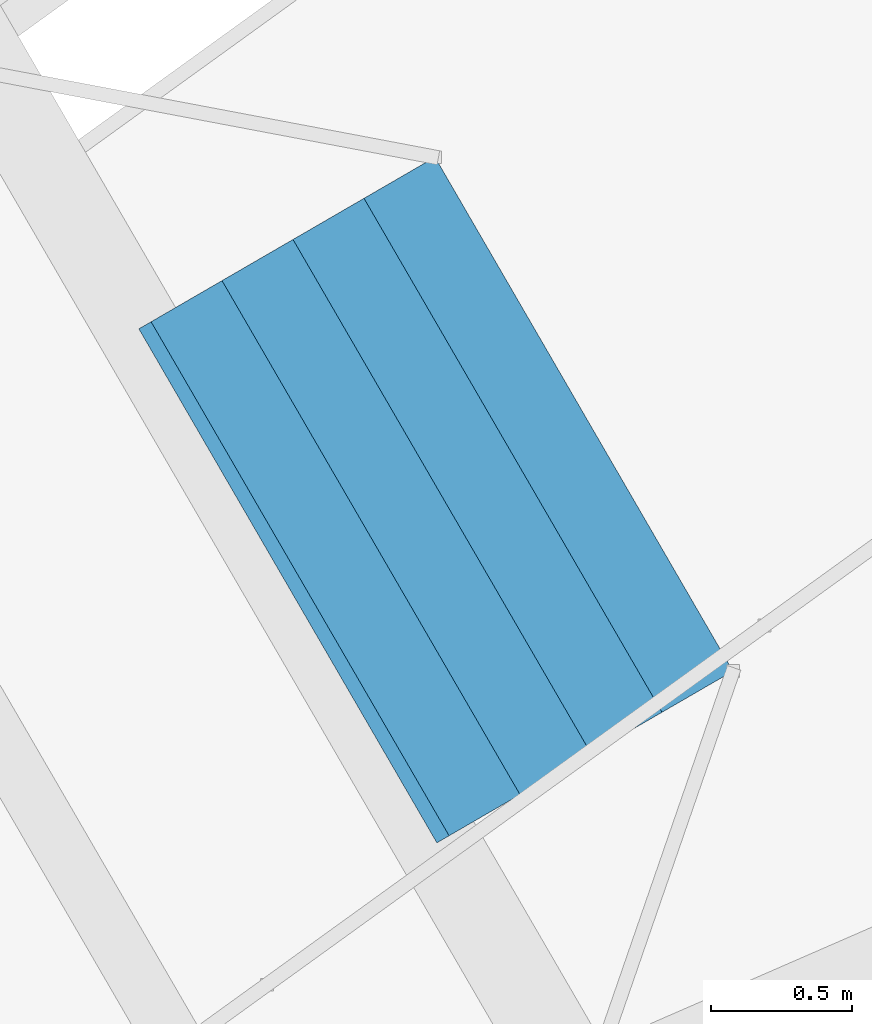
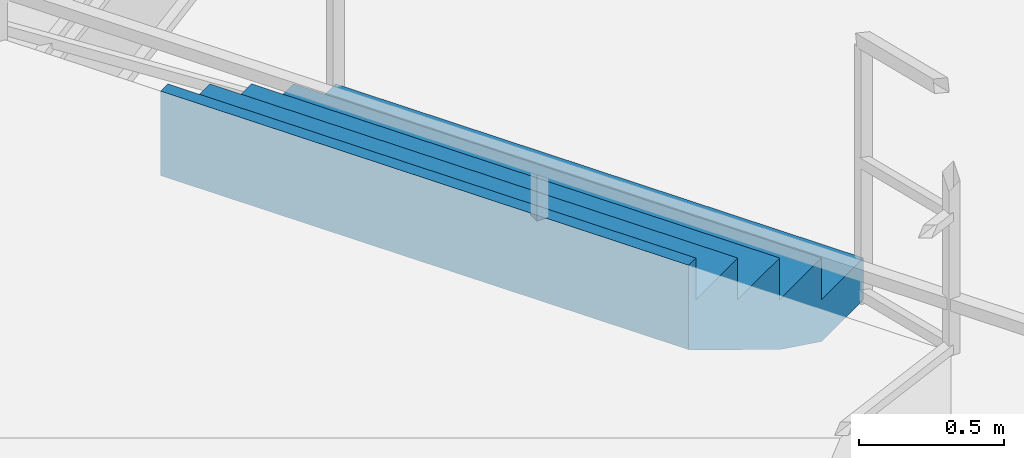
# One storey, part 164 of 186: 1 stair flight, 1 element without a shape of its own.
"""IFC4 building model written with IfcOpenShell, lengths in metres."""

from ifc_helpers import new_model, si_unit, direction, frame, origin, place, context, subcontext, project, spatial, polygons, material, type_object, element, aggregate, save


model = new_model("IFC4")

# Units and contexts
model_context = context("Model", 3, precision=1e-05, world=origin(), true_north=direction((0.0, 1.0)))
body_context = subcontext(model_context, "Body", "Model", "MODEL_VIEW")
ifc_project = project(units=[si_unit("LENGTHUNIT", "METRE"), si_unit("AREAUNIT", "SQUARE_METRE"), si_unit("VOLUMEUNIT", "CUBIC_METRE"), si_unit("PLANEANGLEUNIT", "RADIAN"), si_unit("MASSUNIT", "GRAM", prefix="KILO")], contexts=[model_context])

# Site, building, storey
site_placement = place(None, origin())
site = spatial("IfcSite", under=ifc_project, at=site_placement, CompositionType="ELEMENT")
building_placement = place(site_placement, origin())
building = spatial("IfcBuilding", under=site, at=building_placement, Name="Kazemori Nagisa Stadium", CompositionType="ELEMENT")
storey_placement = place(building_placement, frame((0.0, 0.0, 20.39990234375)))
storey = spatial("IfcBuildingStorey", under=building, at=storey_placement, Name="L04", CompositionType="ELEMENT", Elevation=20.39990234375)

# Stair, stair flight
ifc_material = material(Name="Concrete C36/45 (Fc36)", Category="concrete")
stair_type = type_object("IfcStairType", Name="Stair_VOM_VU", PredefinedType="STRAIGHT_RUN_STAIR", material=ifc_material)
stair_placement = place(storey_placement, origin())
stair = element("IfcStair", 1, at=stair_placement, inside=storey, type_object=stair_type, Name="Vomitory stair upper VU02", PredefinedType="STRAIGHT_RUN_STAIR")
stair_flight_type = type_object("IfcStairFlightType", Name="Flight_VOM_VU", PredefinedType="STRAIGHT", material=ifc_material)
stair_flight_placement = place(storey_placement, frame((186.816650390625, 145.10595703125, 0.0), z_axis=(0.0, 0.0, 1.0), x_axis=(-0.865104261701, -0.501592081663, 0.0)))
stair_flight = element("IfcStairFlight", 2, at=stair_flight_placement, type_object=stair_flight_type, Name="Vomitory stair upper VU02 flight", NumberOfRisers=5, NumberOfTreads=4, PredefinedType="STRAIGHT", RiserHeight=0.176, TreadLength=0.29, context=body_context, shape_type="Tessellation", body=[
    polygons([(0.0, -1.050048828125, 0.0), (0.0, -1.050048828125, 0.176025390625), (0.2900390625, -1.050048828125, 0.176025390625), (0.2900390625, -1.050048828125, 0.35205078125), (0.580078125, -1.050048828125, 0.35205078125), (0.580078125, -1.050048828125, 0.528076171875), (0.8701171875, -1.050048828125, 0.528076171875), (0.8701171875, -1.050048828125, 0.7041015625), (1.159912109375, -1.050048828125, 0.7041015625), (1.159912109375, -1.050048828125, 0.8798828125), (1.2099609375, -1.050048828125, 0.8798828125), (1.2099609375, -1.050048828125, 0.52392578125), (1.159912109375, -1.050048828125, 0.493408203125), (0.8701171875, -1.050048828125, 0.317626953125), (0.580078125, -1.050048828125, 0.1416015625), (0.2900390625, -1.050048828125, 0.0), (0.0, -0.083984375, 0.0), (0.0, -0.083984375, 0.176025390625), (0.2900390625, -0.083984375, 0.176025390625), (0.2900390625, -0.083984375, 0.35205078125), (0.580078125, -0.083984375, 0.35205078125), (0.580078125, -0.083984375, 0.528076171875), (0.8701171875, -0.083984375, 0.528076171875), (0.8701171875, -0.083984375, 0.7041015625), (1.159912109375, -0.083984375, 0.7041015625), (1.159912109375, -0.083984375, 0.8798828125), (1.2099609375, -0.083984375, 0.8798828125), (1.2099609375, -0.083984375, 0.52392578125), (1.159912109375, -0.083984375, 0.493408203125), (0.8701171875, -0.083984375, 0.317626953125), (0.580078125, -0.083984375, 0.1416015625), (0.2900390625, -0.083984375, 0.0), (0.0, -0.06298828125, 0.0), (0.0, -0.06298828125, 0.176025390625), (0.2900390625, -0.06298828125, 0.176025390625), (0.2900390625, -0.06298828125, 0.35205078125), (0.580078125, -0.06298828125, 0.35205078125), (0.580078125, -0.06298828125, 0.528076171875), (0.8701171875, -0.06298828125, 0.528076171875), (0.8701171875, -0.06298828125, 0.7041015625), (1.159912109375, -0.06298828125, 0.7041015625), (1.159912109375, -0.06298828125, 0.8798828125), (1.2099609375, -0.06298828125, 0.8798828125), (1.2099609375, -0.06298828125, 0.52392578125), (1.159912109375, -0.06298828125, 0.493408203125), (0.8701171875, -0.06298828125, 0.317626953125), (0.580078125, -0.06298828125, 0.1416015625), (0.2900390625, -0.06298828125, 0.0), (0.0, -0.0419921875, 0.0), (0.0, -0.0419921875, 0.176025390625), (0.2900390625, -0.0419921875, 0.176025390625), (0.2900390625, -0.0419921875, 0.35205078125), (0.580078125, -0.0419921875, 0.35205078125), (0.580078125, -0.0419921875, 0.528076171875), (0.8701171875, -0.0419921875, 0.528076171875), (0.8701171875, -0.0419921875, 0.7041015625), (1.159912109375, -0.0419921875, 0.7041015625), (1.159912109375, -0.0419921875, 0.8798828125), (1.2099609375, -0.0419921875, 0.8798828125), (1.2099609375, -0.0419921875, 0.52392578125), (1.159912109375, -0.0419921875, 0.493408203125), (0.8701171875, -0.0419921875, 0.317626953125), (0.580078125, -0.0419921875, 0.1416015625), (0.2900390625, -0.0419921875, 0.0), (0.0, -0.02099609375, 0.0), (0.0, -0.02099609375, 0.176025390625), (0.2900390625, -0.02099609375, 0.176025390625), (0.2900390625, -0.02099609375, 0.35205078125), (0.580078125, -0.02099609375, 0.35205078125), (0.580078125, -0.02099609375, 0.528076171875), (0.8701171875, -0.02099609375, 0.528076171875), (0.8701171875, -0.02099609375, 0.7041015625), (1.159912109375, -0.02099609375, 0.7041015625), (1.159912109375, -0.02099609375, 0.8798828125), (1.2099609375, -0.02099609375, 0.8798828125), (1.2099609375, -0.02099609375, 0.52392578125), (1.159912109375, -0.02099609375, 0.493408203125), (0.8701171875, -0.02099609375, 0.317626953125), (0.580078125, -0.02099609375, 0.1416015625), (0.2900390625, -0.02099609375, 0.0), (0.0, 0.0, 0.0), (0.0, 0.0, 0.176025390625), (0.2900390625, 0.0, 0.176025390625), (0.2900390625, 0.0, 0.35205078125), (0.580078125, 0.0, 0.35205078125), (0.580078125, 0.0, 0.528076171875), (0.8701171875, 0.0, 0.528076171875), (0.8701171875, 0.0, 0.7041015625), (1.159912109375, 0.0, 0.7041015625), (1.159912109375, 0.0, 0.8798828125), (1.2099609375, 0.0, 0.8798828125), (1.2099609375, 0.0, 0.52392578125), (1.159912109375, 0.0, 0.493408203125), (0.8701171875, 0.0, 0.317626953125), (0.580078125, 0.0, 0.1416015625), (0.2900390625, 0.0, 0.0), (0.0, 0.02099609375, 0.0), (0.0, 0.02099609375, 0.176025390625), (0.2900390625, 0.02099609375, 0.176025390625), (0.2900390625, 0.02099609375, 0.35205078125), (0.580078125, 0.02099609375, 0.35205078125), (0.580078125, 0.02099609375, 0.528076171875), (0.8701171875, 0.02099609375, 0.528076171875), (0.8701171875, 0.02099609375, 0.7041015625), (1.159912109375, 0.02099609375, 0.7041015625), (1.159912109375, 0.02099609375, 0.8798828125), (1.2099609375, 0.02099609375, 0.8798828125), (1.2099609375, 0.02099609375, 0.52392578125), (1.159912109375, 0.02099609375, 0.493408203125), (0.8701171875, 0.02099609375, 0.317626953125), (0.580078125, 0.02099609375, 0.1416015625), (0.2900390625, 0.02099609375, 0.0), (0.0, 0.0419921875, 0.0), (0.0, 0.0419921875, 0.176025390625), (0.2900390625, 0.0419921875, 0.176025390625), (0.2900390625, 0.0419921875, 0.35205078125), (0.580078125, 0.0419921875, 0.35205078125), (0.580078125, 0.0419921875, 0.528076171875), (0.8701171875, 0.0419921875, 0.528076171875), (0.8701171875, 0.0419921875, 0.7041015625), (1.159912109375, 0.0419921875, 0.7041015625), (1.159912109375, 0.0419921875, 0.8798828125), (1.2099609375, 0.0419921875, 0.8798828125), (1.2099609375, 0.0419921875, 0.52392578125), (1.159912109375, 0.0419921875, 0.493408203125), (0.8701171875, 0.0419921875, 0.317626953125), (0.580078125, 0.0419921875, 0.1416015625), (0.2900390625, 0.0419921875, 0.0), (0.0, 0.06298828125, 0.0), (0.0, 0.06298828125, 0.176025390625), (0.2900390625, 0.06298828125, 0.176025390625), (0.2900390625, 0.06298828125, 0.35205078125), (0.580078125, 0.06298828125, 0.35205078125), (0.580078125, 0.06298828125, 0.528076171875), (0.8701171875, 0.06298828125, 0.528076171875), (0.8701171875, 0.06298828125, 0.7041015625), (1.159912109375, 0.06298828125, 0.7041015625), (1.159912109375, 0.06298828125, 0.8798828125), (1.2099609375, 0.06298828125, 0.8798828125), (1.2099609375, 0.06298828125, 0.52392578125), (1.159912109375, 0.06298828125, 0.493408203125), (0.8701171875, 0.06298828125, 0.317626953125), (0.580078125, 0.06298828125, 0.1416015625), (0.2900390625, 0.06298828125, 0.0), (0.0, 0.083984375, 0.0), (0.0, 0.083984375, 0.176025390625), (0.2900390625, 0.083984375, 0.176025390625), (0.2900390625, 0.083984375, 0.35205078125), (0.580078125, 0.083984375, 0.35205078125), (0.580078125, 0.083984375, 0.528076171875), (0.8701171875, 0.083984375, 0.528076171875), (0.8701171875, 0.083984375, 0.7041015625), (1.159912109375, 0.083984375, 0.7041015625), (1.159912109375, 0.083984375, 0.8798828125), (1.2099609375, 0.083984375, 0.8798828125), (1.2099609375, 0.083984375, 0.52392578125), (1.159912109375, 0.083984375, 0.493408203125), (0.8701171875, 0.083984375, 0.317626953125), (0.580078125, 0.083984375, 0.1416015625), (0.2900390625, 0.083984375, 0.0), (0.0, 1.050048828125, 0.0), (0.0, 1.050048828125, 0.176025390625), (0.2900390625, 1.050048828125, 0.176025390625), (0.2900390625, 1.050048828125, 0.35205078125), (0.580078125, 1.050048828125, 0.35205078125), (0.580078125, 1.050048828125, 0.528076171875), (0.8701171875, 1.050048828125, 0.528076171875), (0.8701171875, 1.050048828125, 0.7041015625), (1.159912109375, 1.050048828125, 0.7041015625), (1.159912109375, 1.050048828125, 0.8798828125), (1.2099609375, 1.050048828125, 0.8798828125), (1.2099609375, 1.050048828125, 0.52392578125), (1.159912109375, 1.050048828125, 0.493408203125), (0.8701171875, 1.050048828125, 0.317626953125), (0.580078125, 1.050048828125, 0.1416015625), (0.2900390625, 1.050048828125, 0.0)], [[[1, 2, 18]], [[1, 18, 17]], [[2, 3, 19]], [[2, 19, 18]], [[3, 4, 20]], [[3, 20, 19]], [[4, 5, 21]], [[4, 21, 20]], [[5, 6, 22]], [[5, 22, 21]], [[6, 7, 23]], [[6, 23, 22]], [[7, 8, 24]], [[7, 24, 23]], [[8, 9, 25]], [[8, 25, 24]], [[9, 10, 26]], [[9, 26, 25]], [[10, 11, 27]], [[10, 27, 26]], [[11, 12, 28]], [[11, 28, 27]], [[12, 13, 29]], [[12, 29, 28]], [[13, 14, 30]], [[13, 30, 29]], [[14, 15, 31]], [[14, 31, 30]], [[15, 16, 32]], [[15, 32, 31]], [[16, 1, 17]], [[16, 17, 32]], [[17, 18, 34]], [[17, 34, 33]], [[18, 19, 35]], [[18, 35, 34]], [[19, 20, 36]], [[19, 36, 35]], [[20, 21, 37]], [[20, 37, 36]], [[21, 22, 38]], [[21, 38, 37]], [[22, 23, 39]], [[22, 39, 38]], [[23, 24, 40]], [[23, 40, 39]], [[24, 25, 41]], [[24, 41, 40]], [[25, 26, 42]], [[25, 42, 41]], [[26, 27, 43]], [[26, 43, 42]], [[27, 28, 44]], [[27, 44, 43]], [[28, 29, 45]], [[28, 45, 44]], [[29, 30, 46]], [[29, 46, 45]], [[30, 31, 47]], [[30, 47, 46]], [[31, 32, 48]], [[31, 48, 47]], [[32, 17, 33]], [[32, 33, 48]], [[33, 34, 50]], [[33, 50, 49]], [[34, 35, 51]], [[34, 51, 50]], [[35, 36, 52]], [[35, 52, 51]], [[36, 37, 53]], [[36, 53, 52]], [[37, 38, 54]], [[37, 54, 53]], [[38, 39, 55]], [[38, 55, 54]], [[39, 40, 56]], [[39, 56, 55]], [[40, 41, 57]], [[40, 57, 56]], [[41, 42, 58]], [[41, 58, 57]], [[42, 43, 59]], [[42, 59, 58]], [[43, 44, 60]], [[43, 60, 59]], [[44, 45, 61]], [[44, 61, 60]], [[45, 46, 62]], [[45, 62, 61]], [[46, 47, 63]], [[46, 63, 62]], [[47, 48, 64]], [[47, 64, 63]], [[48, 33, 49]], [[48, 49, 64]], [[49, 50, 66]], [[49, 66, 65]], [[50, 51, 67]], [[50, 67, 66]], [[51, 52, 68]], [[51, 68, 67]], [[52, 53, 69]], [[52, 69, 68]], [[53, 54, 70]], [[53, 70, 69]], [[54, 55, 71]], [[54, 71, 70]], [[55, 56, 72]], [[55, 72, 71]], [[56, 57, 73]], [[56, 73, 72]], [[57, 58, 74]], [[57, 74, 73]], [[58, 59, 75]], [[58, 75, 74]], [[59, 60, 76]], [[59, 76, 75]], [[60, 61, 77]], [[60, 77, 76]], [[61, 62, 78]], [[61, 78, 77]], [[62, 63, 79]], [[62, 79, 78]], [[63, 64, 80]], [[63, 80, 79]], [[64, 49, 65]], [[64, 65, 80]], [[65, 66, 82]], [[65, 82, 81]], [[66, 67, 83]], [[66, 83, 82]], [[67, 68, 84]], [[67, 84, 83]], [[68, 69, 85]], [[68, 85, 84]], [[69, 70, 86]], [[69, 86, 85]], [[70, 71, 87]], [[70, 87, 86]], [[71, 72, 88]], [[71, 88, 87]], [[72, 73, 89]], [[72, 89, 88]], [[73, 74, 90]], [[73, 90, 89]], [[74, 75, 91]], [[74, 91, 90]], [[75, 76, 92]], [[75, 92, 91]], [[76, 77, 93]], [[76, 93, 92]], [[77, 78, 94]], [[77, 94, 93]], [[78, 79, 95]], [[78, 95, 94]], [[79, 80, 96]], [[79, 96, 95]], [[80, 65, 81]], [[80, 81, 96]], [[81, 82, 98]], [[81, 98, 97]], [[82, 83, 99]], [[82, 99, 98]], [[83, 84, 100]], [[83, 100, 99]], [[84, 85, 101]], [[84, 101, 100]], [[85, 86, 102]], [[85, 102, 101]], [[86, 87, 103]], [[86, 103, 102]], [[87, 88, 104]], [[87, 104, 103]], [[88, 89, 105]], [[88, 105, 104]], [[89, 90, 106]], [[89, 106, 105]], [[90, 91, 107]], [[90, 107, 106]], [[91, 92, 108]], [[91, 108, 107]], [[92, 93, 109]], [[92, 109, 108]], [[93, 94, 110]], [[93, 110, 109]], [[94, 95, 111]], [[94, 111, 110]], [[95, 96, 112]], [[95, 112, 111]], [[96, 81, 97]], [[96, 97, 112]], [[97, 98, 114]], [[97, 114, 113]], [[98, 99, 115]], [[98, 115, 114]], [[99, 100, 116]], [[99, 116, 115]], [[100, 101, 117]], [[100, 117, 116]], [[101, 102, 118]], [[101, 118, 117]], [[102, 103, 119]], [[102, 119, 118]], [[103, 104, 120]], [[103, 120, 119]], [[104, 105, 121]], [[104, 121, 120]], [[105, 106, 122]], [[105, 122, 121]], [[106, 107, 123]], [[106, 123, 122]], [[107, 108, 124]], [[107, 124, 123]], [[108, 109, 125]], [[108, 125, 124]], [[109, 110, 126]], [[109, 126, 125]], [[110, 111, 127]], [[110, 127, 126]], [[111, 112, 128]], [[111, 128, 127]], [[112, 97, 113]], [[112, 113, 128]], [[113, 114, 130]], [[113, 130, 129]], [[114, 115, 131]], [[114, 131, 130]], [[115, 116, 132]], [[115, 132, 131]], [[116, 117, 133]], [[116, 133, 132]], [[117, 118, 134]], [[117, 134, 133]], [[118, 119, 135]], [[118, 135, 134]], [[119, 120, 136]], [[119, 136, 135]], [[120, 121, 137]], [[120, 137, 136]], [[121, 122, 138]], [[121, 138, 137]], [[122, 123, 139]], [[122, 139, 138]], [[123, 124, 140]], [[123, 140, 139]], [[124, 125, 141]], [[124, 141, 140]], [[125, 126, 142]], [[125, 142, 141]], [[126, 127, 143]], [[126, 143, 142]], [[127, 128, 144]], [[127, 144, 143]], [[128, 113, 129]], [[128, 129, 144]], [[129, 130, 146]], [[129, 146, 145]], [[130, 131, 147]], [[130, 147, 146]], [[131, 132, 148]], [[131, 148, 147]], [[132, 133, 149]], [[132, 149, 148]], [[133, 134, 150]], [[133, 150, 149]], [[134, 135, 151]], [[134, 151, 150]], [[135, 136, 152]], [[135, 152, 151]], [[136, 137, 153]], [[136, 153, 152]], [[137, 138, 154]], [[137, 154, 153]], [[138, 139, 155]], [[138, 155, 154]], [[139, 140, 156]], [[139, 156, 155]], [[140, 141, 157]], [[140, 157, 156]], [[141, 142, 158]], [[141, 158, 157]], [[142, 143, 159]], [[142, 159, 158]], [[143, 144, 160]], [[143, 160, 159]], [[144, 129, 145]], [[144, 145, 160]], [[145, 146, 162]], [[145, 162, 161]], [[146, 147, 163]], [[146, 163, 162]], [[147, 148, 164]], [[147, 164, 163]], [[148, 149, 165]], [[148, 165, 164]], [[149, 150, 166]], [[149, 166, 165]], [[150, 151, 167]], [[150, 167, 166]], [[151, 152, 168]], [[151, 168, 167]], [[152, 153, 169]], [[152, 169, 168]], [[153, 154, 170]], [[153, 170, 169]], [[154, 155, 171]], [[154, 171, 170]], [[155, 156, 172]], [[155, 172, 171]], [[156, 157, 173]], [[156, 173, 172]], [[157, 158, 174]], [[157, 174, 173]], [[158, 159, 175]], [[158, 175, 174]], [[159, 160, 176]], [[159, 176, 175]], [[160, 145, 161]], [[160, 161, 176]], [[3, 2, 1]], [[161, 162, 163]], [[16, 3, 1]], [[161, 163, 176]], [[15, 3, 16]], [[176, 163, 175]], [[5, 3, 15]], [[175, 163, 165]], [[5, 4, 3]], [[163, 164, 165]], [[14, 5, 15]], [[175, 165, 174]], [[7, 5, 14]], [[174, 165, 167]], [[7, 6, 5]], [[165, 166, 167]], [[13, 7, 14]], [[174, 167, 173]], [[9, 7, 13]], [[173, 167, 169]], [[9, 8, 7]], [[167, 168, 169]], [[12, 9, 13]], [[173, 169, 172]], [[11, 9, 12]], [[172, 169, 171]], [[11, 10, 9]], [[169, 170, 171]]], closed=True),
])
aggregate(stair, [stair_flight])

save(model, "model.ifc")
